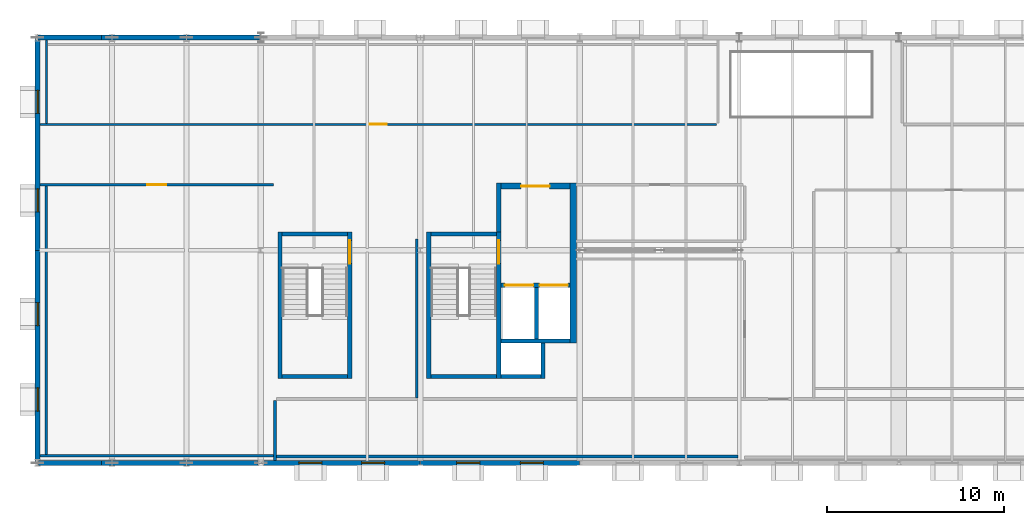
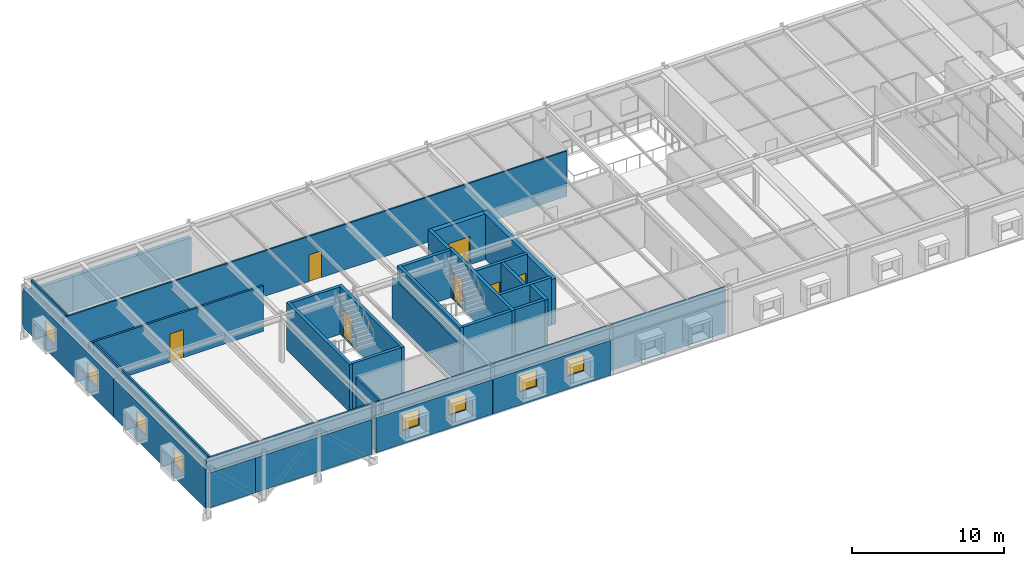
# One storey, part 11 of 17: 32 walls, 8 windows, 7 doors, 15 openings.
"""IFC4 building model written with IfcOpenShell, lengths in metres."""

from ifc_helpers import new_model, si_unit, direction, frame, frame_2d, origin, place, context, subcontext, project, spatial, rectangle, extrude, material, layer, layer_set, type_object, element, fill, save


model = new_model("IFC4")

# Units and contexts
model_context = context("Model", 3, precision=1e-05, world=origin(), true_north=direction((0.0, 1.0)))
body_context = subcontext(model_context, "Body", "Model", "MODEL_VIEW")
ifc_project = project(units=[si_unit("LENGTHUNIT", "METRE"), si_unit("AREAUNIT", "SQUARE_METRE"), si_unit("VOLUMEUNIT", "CUBIC_METRE"), si_unit("PLANEANGLEUNIT", "RADIAN"), si_unit("MASSUNIT", "GRAM", prefix="KILO")], contexts=[model_context])

# Site, building, storey
site_placement = place(None, origin())
site = spatial("IfcSite", under=ifc_project, at=site_placement, CompositionType="ELEMENT")
building_placement = place(site_placement, origin())
building = spatial("IfcBuilding", under=site, at=building_placement, Name="Montelvaro Courts of Justice", CompositionType="ELEMENT")
storey_placement = place(building_placement, frame((0.0, 0.0, 31.39990234375)))
storey = spatial("IfcBuildingStorey", under=building, at=storey_placement, Name="L07", CompositionType="ELEMENT", Elevation=31.39990234375)

# Walls
ifc_material_1 = material(Name="Gypsum board on metal stud")
ifc_layer_1 = layer(ifc_material_1, 0.14990234375)
ifc_layer_set_1 = layer_set([ifc_layer_1], Name="Gypsum board on metal stud")
wall_type_1 = type_object("IfcWallType", Name="ChambersPartition_150", PredefinedType="PARTITIONING", material=ifc_layer_set_1)
wall_1_placement = place(storey_placement, frame((71.919921875, 0.360107421875, 0.0), z_axis=(0.0, 0.0, 1.0), x_axis=(-1.0, 0.0, 0.0)))
element("IfcWall", 1, at=wall_1_placement, inside=storey, type_object=wall_type_1, Name="Interior Partition IW-04 (L07)", PredefinedType="PARTITIONING", context=body_context, shape_type="SweptSolid", body=[
    extrude(rectangle(XDim=26.0400390625, YDim=0.14990234375, at=frame_2d((13.02001953125, 0.0))), origin(), (0.0, 0.0, 1.0), 3.64013671875),
])
wall_2_placement = place(storey_placement, frame((45.800048828125, 0.135009765625, 0.0), z_axis=(0.0, 0.0, 1.0), x_axis=(0.0, 1.0, 0.0)))
element("IfcWall", 2, at=wall_2_placement, inside=storey, type_object=wall_type_1, Name="Interior Partition IW-04 (L07)", PredefinedType="PARTITIONING", context=body_context, shape_type="SweptSolid", body=[
    extrude(rectangle(XDim=3.385009765625, YDim=0.14990234375, at=frame_2d((1.6923828125, 0.0))), origin(), (0.0, 0.0, 1.0), 3.64013671875),
])
wall_3_placement = place(storey_placement, frame((45.72998046875, 0.39990234375, 0.0), z_axis=(0.0, 0.0, 1.0), x_axis=(-1.0, 0.0, 0.0)))
element("IfcWall", 3, at=wall_3_placement, inside=storey, type_object=wall_type_1, Name="Interior Partition IW-04 (L07)", PredefinedType="PARTITIONING", context=body_context, shape_type="SweptSolid", body=[
    extrude(rectangle(XDim=13.195068359375, YDim=0.14990234375, at=frame_2d((6.59765625, 0.0))), origin(), (0.0, 0.0, 1.0), 3.64013671875),
])
wall_4_placement = place(storey_placement, frame((32.89990234375, 0.469970703125, 0.0), z_axis=(0.0, 0.0, 1.0), x_axis=(0.0, 1.0, 0.0)))
element("IfcWall", 4, at=wall_4_placement, inside=storey, type_object=wall_type_1, Name="Interior Partition IW-04 (L07)", PredefinedType="PARTITIONING", context=body_context, shape_type="SweptSolid", body=[
    extrude(rectangle(XDim=15.150146484375, YDim=0.14990234375, at=frame_2d((7.5751953125, 0.0))), origin(), (0.0, 0.0, 1.0), 3.64013671875),
])

# Wall, opening, door
wall_5_placement = place(storey_placement, frame((32.534912109375, 15.699951171875, 0.0), z_axis=(0.0, 0.0, 1.0), x_axis=(1.0, 0.0, 0.0)))
wall_5 = element("IfcWall", 5, at=wall_5_placement, inside=storey, type_object=wall_type_1, Name="Interior Partition IW-04 (L07)", PredefinedType="PARTITIONING", context=body_context, shape_type="SweptSolid", body=[
    extrude(rectangle(XDim=13.18505859375, YDim=0.14990234375, at=frame_2d((6.592529296875, 0.0))), origin(), (0.0, 0.0, 1.0), 3.64013671875),
])
opening_1_placement = place(wall_5_placement, frame((6.068115234375, 0.0, 0.0)))
opening_1 = element("IfcOpeningElement", 6, at=opening_1_placement, cuts=wall_5, Name="Opening D-L07-178", PredefinedType="OPENING", context=body_context, shape_type="SweptSolid", body=[
    extrude(rectangle(XDim=1.050048828125, YDim=2.25, at=frame_2d((0.52490234375, 1.125))), frame((0.0, 0.08984375, 0.0), z_axis=(0.0, -1.0, 0.0), x_axis=(1.0, 0.0, 0.0)), (0.0, 0.0, 1.0), 0.1796875),
])
ifc_material_2 = material(Name="Acoustic oak timber veneer", Category="wood")
door_type_1 = type_object("IfcDoorType", Name="ChamberDoor_105x225", OperationType="NOTDEFINED", PredefinedType="DOOR", material=ifc_material_2)
door_1_placement = place(opening_1_placement, origin())
door_1 = element("IfcDoor", 7, at=door_1_placement, inside=storey, type_object=door_type_1, Name="Interior Door D-L07-178 (West Cantilever Appellate Judges' Chambers L07)", OperationType="SINGLE_SWING_LEFT", OverallHeight=2.25, OverallWidth=1.050048828125, PredefinedType="DOOR", context=body_context, shape_type="SweptSolid", body=[
    extrude(rectangle(XDim=1.050048828125, YDim=2.25, at=frame_2d((0.52490234375, 1.125))), frame((0.0, 0.02490234375, 0.0), z_axis=(0.0, -1.0, 0.0), x_axis=(1.0, 0.0, 0.0)), (0.0, 0.0, 1.0), 0.050048828125),
])
fill(opening_1, door_1)

ifc_material_3 = material(Name="Concrete C40/50", Category="concrete")
ifc_layer_2 = layer(ifc_material_3, 0.360107421875)
ifc_layer_set_2 = layer_set([ifc_layer_2], Name="Concrete C40/50")
wall_type_2 = type_object("IfcWallType", Name="CoreWall_360", PredefinedType="SHEAR", material=ifc_layer_set_2)
wall_6_placement = place(storey_placement, frame((58.5400390625, 15.6201171875, 0.0), z_axis=(0.0, 0.0, 1.0), x_axis=(1.0, 0.0, 0.0)))
wall_6 = element("IfcWall", 8, at=wall_6_placement, inside=storey, type_object=wall_type_2, Name="Core Shear Wall CW-01 K1-N (L07)", PredefinedType="SHEAR", context=body_context, shape_type="SweptSolid", body=[
    extrude(rectangle(XDim=3.89990234375, YDim=0.360107421875, at=frame_2d((1.949951171875, 0.0))), origin(), (0.0, 0.0, 1.0), 3.66015625),
])
opening_2_placement = place(wall_6_placement, frame((1.14990234375, 0.0, 0.0)))
opening_2 = element("IfcOpeningElement", 9, at=opening_2_placement, cuts=wall_6, Name="Opening DL-L07-K1", PredefinedType="OPENING", context=body_context, shape_type="SweptSolid", body=[
    extrude(rectangle(XDim=1.60009765625, YDim=2.25, at=frame_2d((0.800048828125, 1.125))), frame((0.0, 0.19482421875, 0.0), z_axis=(0.0, -1.0, 0.0), x_axis=(1.0, 0.0, 0.0)), (0.0, 0.0, 1.0), 0.389892578125),
])
ifc_material_4 = material(Name="Galvanised steel S355 security door", Category="steel")
door_type_2 = type_object("IfcDoorType", Name="LobbyFireDoor_160x225", OperationType="DOUBLE_DOOR_SINGLE_SWING", PredefinedType="DOOR", material=ifc_material_4)
door_2_placement = place(opening_2_placement, origin())
door_2 = element("IfcDoor", 10, at=door_2_placement, inside=storey, type_object=door_type_2, Name="Core Lobby Fire Door DL-L07-K1", OperationType="DOUBLE_DOOR_SINGLE_SWING", OverallHeight=2.25, OverallWidth=1.60009765625, PredefinedType="DOOR", context=body_context, shape_type="SweptSolid", body=[
    extrude(rectangle(XDim=1.60009765625, YDim=2.25, at=frame_2d((0.800048828125, 1.125))), frame((0.0, 0.02490234375, 0.0), z_axis=(0.0, -1.0, 0.0), x_axis=(1.0, 0.0, 0.0)), (0.0, 0.0, 1.0), 0.050048828125),
])
fill(opening_2, door_2)

# Walls
wall_7_placement = place(storey_placement, frame((62.6201171875, 6.760009765625, 0.0), z_axis=(0.0, 0.0, 1.0), x_axis=(0.0, 1.0, 0.0)))
element("IfcWall", 11, at=wall_7_placement, inside=storey, type_object=wall_type_2, Name="Core Shear Wall CW-01 K1-E (L07)", PredefinedType="SHEAR", context=body_context, shape_type="SweptSolid", body=[
    extrude(rectangle(XDim=9.0400390625, YDim=0.360107421875, at=frame_2d((4.52001953125, 0.0))), origin(), (0.0, 0.0, 1.0), 3.66015625),
])
ifc_material_5 = material(Name="White mineral precast concrete C45/55", Category="concrete")
ifc_layer_3 = layer(ifc_material_5, 0.280029296875)
ifc_layer_set_3 = layer_set([ifc_layer_3], Name="White mineral precast concrete C45/55")
wall_type_3 = type_object("IfcWallType", Name="ExtWall_GFRC_280", PredefinedType="SOLIDWALL", material=ifc_layer_set_3)
wall_8_placement = place(storey_placement, frame((32.43994140625, 0.0, 0.0), z_axis=(0.0, 0.0, 1.0), x_axis=(1.0, 0.0, 0.0)))
element("IfcWall", 12, at=wall_8_placement, inside=storey, type_object=wall_type_3, Name="Exterior Facade Wall EW-01 (L07)", PredefinedType="SOLIDWALL", context=body_context, shape_type="SweptSolid", body=[
    extrude(rectangle(XDim=3.570068359375, YDim=0.280029296875, at=frame_2d((1.78515625, 0.0))), origin(), (0.0, 0.0, 1.0), 2.787109375),
])
wall_9_placement = place(storey_placement, frame((35.989990234375, 0.0, 0.0), z_axis=(0.0, 0.0, 1.0), x_axis=(1.0, 0.0, 0.0)))
element("IfcWall", 13, at=wall_9_placement, inside=storey, type_object=wall_type_3, Name="Exterior Facade Wall EW-01 (L07)", PredefinedType="SOLIDWALL", context=body_context, shape_type="SweptSolid", body=[
    extrude(rectangle(XDim=8.862060546875, YDim=0.280029296875, at=frame_2d((4.43115234375, 0.0))), origin(), (0.0, 0.0, 1.0), 2.787109375),
])

# Wall, openings, windows
wall_10_placement = place(storey_placement, frame((45.14794921875, 0.0, 0.0), z_axis=(0.0, 0.0, 1.0), x_axis=(1.0, 0.0, 0.0)))
wall_10 = element("IfcWall", 14, at=wall_10_placement, inside=storey, type_object=wall_type_3, Name="Exterior Facade Wall EW-01 (L07)", PredefinedType="SOLIDWALL", context=body_context, shape_type="SweptSolid", body=[
    extrude(rectangle(XDim=8.843994140625, YDim=0.280029296875, at=frame_2d((4.421875, 0.0))), origin(), (0.0, 0.0, 1.0), 2.787109375),
])
opening_3_placement = place(wall_10_placement, frame((2.0029296875, 0.0, 1.050048828125)))
opening_3 = element("IfcOpeningElement", 15, at=opening_3_placement, cuts=wall_10, Name="Opening WE-18", PredefinedType="OPENING", context=body_context, shape_type="SweptSolid", body=[
    extrude(rectangle(XDim=1.300048828125, YDim=1.300048828125, at=frame_2d((0.64990234375, 0.64990234375))), frame((0.0, 0.15478515625, 0.0), z_axis=(0.0, -1.0, 0.0), x_axis=(1.0, 0.0, 0.0)), (0.0, 0.0, 1.0), 0.309814453125),
])
opening_4_placement = place(wall_10_placement, frame((5.541015625, 0.0, 1.050048828125)))
opening_4 = element("IfcOpeningElement", 16, at=opening_4_placement, cuts=wall_10, Name="Opening WE-18", PredefinedType="OPENING", context=body_context, shape_type="SweptSolid", body=[
    extrude(rectangle(XDim=1.300048828125, YDim=1.300048828125, at=frame_2d((0.64990234375, 0.64990234375))), frame((0.0, 0.15478515625, 0.0), z_axis=(0.0, -1.0, 0.0), x_axis=(1.0, 0.0, 0.0)), (0.0, 0.0, 1.0), 0.309814453125),
])
ifc_material_6 = material(Name="Low-E solar control double glazing", Category="glass")
window_type = type_object("IfcWindowType", Name="Win_Sq_130x130", PartitioningType="SINGLE_PANEL", PredefinedType="WINDOW", material=ifc_material_6)
window_1_placement = place(opening_3_placement, origin())
window_1 = element("IfcWindow", 17, at=window_1_placement, inside=storey, type_object=window_type, Name="Window W-L07-326", OverallHeight=1.300048828125, OverallWidth=1.300048828125, PartitioningType="SINGLE_PANEL", PredefinedType="WINDOW", context=body_context, shape_type="SweptSolid", body=[
    extrude(rectangle(XDim=1.300048828125, YDim=1.300048828125, at=frame_2d((0.64990234375, 0.64990234375))), frame((0.0, 0.030029296875, 0.0), z_axis=(0.0, -1.0, 0.0), x_axis=(1.0, 0.0, 0.0)), (0.0, 0.0, 1.0), 0.06005859375),
])
fill(opening_3, window_1)
window_2_placement = place(opening_4_placement, origin())
window_2 = element("IfcWindow", 18, at=window_2_placement, inside=storey, type_object=window_type, Name="Window W-L07-327", OverallHeight=1.300048828125, OverallWidth=1.300048828125, PartitioningType="SINGLE_PANEL", PredefinedType="WINDOW", context=body_context, shape_type="SweptSolid", body=[
    extrude(rectangle(XDim=1.300048828125, YDim=1.300048828125, at=frame_2d((0.64990234375, 0.64990234375))), frame((0.0, 0.030029296875, 0.0), z_axis=(0.0, -1.0, 0.0), x_axis=(1.0, 0.0, 0.0)), (0.0, 0.0, 1.0), 0.06005859375),
])
fill(opening_4, window_2)

wall_11_placement = place(storey_placement, frame((54.008056640625, 0.0, 0.0), z_axis=(0.0, 0.0, 1.0), x_axis=(1.0, 0.0, 0.0)))
wall_11 = element("IfcWall", 19, at=wall_11_placement, inside=storey, type_object=wall_type_3, Name="Exterior Facade Wall EW-01 (L07)", PredefinedType="SOLIDWALL", context=body_context, shape_type="SweptSolid", body=[
    extrude(rectangle(XDim=8.98388671875, YDim=0.280029296875, at=frame_2d((4.491943359375, 0.0))), origin(), (0.0, 0.0, 1.0), 2.787109375),
])
opening_5_placement = place(wall_11_placement, frame((2.044921875, 0.0, 1.050048828125)))
opening_5 = element("IfcOpeningElement", 20, at=opening_5_placement, cuts=wall_11, Name="Opening WE-18", PredefinedType="OPENING", context=body_context, shape_type="SweptSolid", body=[
    extrude(rectangle(XDim=1.300048828125, YDim=1.300048828125, at=frame_2d((0.64990234375, 0.64990234375))), frame((0.0, 0.15478515625, 0.0), z_axis=(0.0, -1.0, 0.0), x_axis=(1.0, 0.0, 0.0)), (0.0, 0.0, 1.0), 0.309814453125),
])
opening_6_placement = place(wall_11_placement, frame((5.638916015625, 0.0, 1.050048828125)))
opening_6 = element("IfcOpeningElement", 21, at=opening_6_placement, cuts=wall_11, Name="Opening WE-18", PredefinedType="OPENING", context=body_context, shape_type="SweptSolid", body=[
    extrude(rectangle(XDim=1.300048828125, YDim=1.300048828125, at=frame_2d((0.64990234375, 0.64990234375))), frame((0.0, 0.15478515625, 0.0), z_axis=(0.0, -1.0, 0.0), x_axis=(1.0, 0.0, 0.0)), (0.0, 0.0, 1.0), 0.309814453125),
])
window_3_placement = place(opening_5_placement, origin())
window_3 = element("IfcWindow", 22, at=window_3_placement, inside=storey, type_object=window_type, Name="Window W-L07-328", OverallHeight=1.300048828125, OverallWidth=1.300048828125, PartitioningType="SINGLE_PANEL", PredefinedType="WINDOW", context=body_context, shape_type="SweptSolid", body=[
    extrude(rectangle(XDim=1.300048828125, YDim=1.300048828125, at=frame_2d((0.64990234375, 0.64990234375))), frame((0.0, 0.030029296875, 0.0), z_axis=(0.0, -1.0, 0.0), x_axis=(1.0, 0.0, 0.0)), (0.0, 0.0, 1.0), 0.06005859375),
])
fill(opening_5, window_3)
window_4_placement = place(opening_6_placement, origin())
window_4 = element("IfcWindow", 23, at=window_4_placement, inside=storey, type_object=window_type, Name="Window W-L07-329", OverallHeight=1.300048828125, OverallWidth=1.300048828125, PartitioningType="SINGLE_PANEL", PredefinedType="WINDOW", context=body_context, shape_type="SweptSolid", body=[
    extrude(rectangle(XDim=1.300048828125, YDim=1.300048828125, at=frame_2d((0.64990234375, 0.64990234375))), frame((0.0, 0.030029296875, 0.0), z_axis=(0.0, -1.0, 0.0), x_axis=(1.0, 0.0, 0.0)), (0.0, 0.0, 1.0), 0.06005859375),
])
fill(opening_6, window_4)

# Walls
wall_12_placement = place(storey_placement, frame((44.991943359375, 24.0, 0.0), z_axis=(0.0, 0.0, 1.0), x_axis=(-1.0, 0.0, 0.0)))
element("IfcWall", 24, at=wall_12_placement, inside=storey, type_object=wall_type_3, Name="Exterior Facade Wall EW-01 (L07)", PredefinedType="SOLIDWALL", context=body_context, shape_type="SweptSolid", body=[
    extrude(rectangle(XDim=9.001953125, YDim=0.280029296875, at=frame_2d((4.5009765625, 0.0))), origin(), (0.0, 0.0, 1.0), 2.787109375),
])
wall_13_placement = place(storey_placement, frame((36.010009765625, 24.0, 0.0), z_axis=(0.0, 0.0, 1.0), x_axis=(-1.0, 0.0, 0.0)))
element("IfcWall", 25, at=wall_13_placement, inside=storey, type_object=wall_type_3, Name="Exterior Facade Wall EW-01 (L07)", PredefinedType="SOLIDWALL", context=body_context, shape_type="SweptSolid", body=[
    extrude(rectangle(XDim=3.64990234375, YDim=0.280029296875, at=frame_2d((1.824951171875, 0.0))), origin(), (0.0, 0.0, 1.0), 2.787109375),
])

# Wall, openings, windows
wall_14_placement = place(storey_placement, frame((32.39990234375, 23.9599609375, 0.0), z_axis=(0.0, 0.0, 1.0), x_axis=(0.0, -1.0, 0.0)))
wall_14 = element("IfcWall", 26, at=wall_14_placement, inside=storey, type_object=wall_type_3, Name="Exterior Facade Wall EW-01 (L07)", PredefinedType="SOLIDWALL", context=body_context, shape_type="SweptSolid", body=[
    extrude(rectangle(XDim=11.969970703125, YDim=0.280029296875, at=frame_2d((5.98486328125, 0.0))), origin(), (0.0, 0.0, 1.0), 3.09521484375),
])
opening_7_placement = place(wall_14_placement, frame((2.94091796875, 0.0, 1.050048828125)))
opening_7 = element("IfcOpeningElement", 27, at=opening_7_placement, cuts=wall_14, Name="Opening WE-18", PredefinedType="OPENING", context=body_context, shape_type="SweptSolid", body=[
    extrude(rectangle(XDim=1.300048828125, YDim=1.300048828125, at=frame_2d((0.64990234375, 0.64990234375))), frame((0.0, 0.15478515625, 0.0), z_axis=(0.0, -1.0, 0.0), x_axis=(1.0, 0.0, 0.0)), (0.0, 0.0, 1.0), 0.309814453125),
])
opening_8_placement = place(wall_14_placement, frame((8.5, 0.0, 1.050048828125)))
opening_8 = element("IfcOpeningElement", 28, at=opening_8_placement, cuts=wall_14, Name="Opening WE-18", PredefinedType="OPENING", context=body_context, shape_type="SweptSolid", body=[
    extrude(rectangle(XDim=1.300048828125, YDim=1.300048828125, at=frame_2d((0.64990234375, 0.64990234375))), frame((0.0, 0.15478515625, 0.0), z_axis=(0.0, -1.0, 0.0), x_axis=(1.0, 0.0, 0.0)), (0.0, 0.0, 1.0), 0.309814453125),
])
window_5_placement = place(opening_7_placement, origin())
window_5 = element("IfcWindow", 29, at=window_5_placement, inside=storey, type_object=window_type, Name="Window W-L07-342", OverallHeight=1.300048828125, OverallWidth=1.300048828125, PartitioningType="SINGLE_PANEL", PredefinedType="WINDOW", context=body_context, shape_type="SweptSolid", body=[
    extrude(rectangle(XDim=1.300048828125, YDim=1.300048828125, at=frame_2d((0.64990234375, 0.64990234375))), frame((0.0, 0.030029296875, 0.0), z_axis=(0.0, -1.0, 0.0), x_axis=(1.0, 0.0, 0.0)), (0.0, 0.0, 1.0), 0.06005859375),
])
fill(opening_7, window_5)
window_6_placement = place(opening_8_placement, origin())
window_6 = element("IfcWindow", 30, at=window_6_placement, inside=storey, type_object=window_type, Name="Window W-L07-343", OverallHeight=1.300048828125, OverallWidth=1.300048828125, PartitioningType="SINGLE_PANEL", PredefinedType="WINDOW", context=body_context, shape_type="SweptSolid", body=[
    extrude(rectangle(XDim=1.300048828125, YDim=1.300048828125, at=frame_2d((0.64990234375, 0.64990234375))), frame((0.0, 0.030029296875, 0.0), z_axis=(0.0, -1.0, 0.0), x_axis=(1.0, 0.0, 0.0)), (0.0, 0.0, 1.0), 0.06005859375),
])
fill(opening_8, window_6)

wall_15_placement = place(storey_placement, frame((32.39990234375, 12.010009765625, 0.0), z_axis=(0.0, 0.0, 1.0), x_axis=(0.0, -1.0, 0.0)))
wall_15 = element("IfcWall", 31, at=wall_15_placement, inside=storey, type_object=wall_type_3, Name="Exterior Facade Wall EW-01 (L07)", PredefinedType="SOLIDWALL", context=body_context, shape_type="SweptSolid", body=[
    extrude(rectangle(XDim=12.050048828125, YDim=0.280029296875, at=frame_2d((6.02490234375, 0.0))), origin(), (0.0, 0.0, 1.0), 3.09521484375),
])
opening_9_placement = place(wall_15_placement, frame((2.965087890625, 0.0, 1.050048828125)))
opening_9 = element("IfcOpeningElement", 32, at=opening_9_placement, cuts=wall_15, Name="Opening WE-18", PredefinedType="OPENING", context=body_context, shape_type="SweptSolid", body=[
    extrude(rectangle(XDim=1.300048828125, YDim=1.300048828125, at=frame_2d((0.64990234375, 0.64990234375))), frame((0.0, 0.15478515625, 0.0), z_axis=(0.0, -1.0, 0.0), x_axis=(1.0, 0.0, 0.0)), (0.0, 0.0, 1.0), 0.309814453125),
])
opening_10_placement = place(wall_15_placement, frame((7.784912109375, 0.0, 1.050048828125)))
opening_10 = element("IfcOpeningElement", 33, at=opening_10_placement, cuts=wall_15, Name="Opening WE-18", PredefinedType="OPENING", context=body_context, shape_type="SweptSolid", body=[
    extrude(rectangle(XDim=1.300048828125, YDim=1.300048828125, at=frame_2d((0.64990234375, 0.64990234375))), frame((0.0, 0.15478515625, 0.0), z_axis=(0.0, -1.0, 0.0), x_axis=(1.0, 0.0, 0.0)), (0.0, 0.0, 1.0), 0.309814453125),
])
window_7_placement = place(opening_9_placement, origin())
window_7 = element("IfcWindow", 34, at=window_7_placement, inside=storey, type_object=window_type, Name="Window W-L07-344", OverallHeight=1.300048828125, OverallWidth=1.300048828125, PartitioningType="SINGLE_PANEL", PredefinedType="WINDOW", context=body_context, shape_type="SweptSolid", body=[
    extrude(rectangle(XDim=1.300048828125, YDim=1.300048828125, at=frame_2d((0.64990234375, 0.64990234375))), frame((0.0, 0.030029296875, 0.0), z_axis=(0.0, -1.0, 0.0), x_axis=(1.0, 0.0, 0.0)), (0.0, 0.0, 1.0), 0.06005859375),
])
fill(opening_9, window_7)
window_8_placement = place(opening_10_placement, origin())
window_8 = element("IfcWindow", 35, at=window_8_placement, inside=storey, type_object=window_type, Name="Window W-L07-345", OverallHeight=1.300048828125, OverallWidth=1.300048828125, PartitioningType="SINGLE_PANEL", PredefinedType="WINDOW", context=body_context, shape_type="SweptSolid", body=[
    extrude(rectangle(XDim=1.300048828125, YDim=1.300048828125, at=frame_2d((0.64990234375, 0.64990234375))), frame((0.0, 0.030029296875, 0.0), z_axis=(0.0, -1.0, 0.0), x_axis=(1.0, 0.0, 0.0)), (0.0, 0.0, 1.0), 0.06005859375),
])
fill(opening_10, window_8)

# Wall
ifc_layer_4 = layer(ifc_material_1, 0.1201171875)
ifc_layer_set_4 = layer_set([ifc_layer_4], Name="Gypsum board on metal stud")
wall_type_4 = type_object("IfcWallType", Name="OfficePartition_120", PredefinedType="PARTITIONING", material=ifc_layer_set_4)
wall_16_placement = place(storey_placement, frame((53.800048828125, 12.6201171875, 0.0), z_axis=(0.0, 0.0, 1.0), x_axis=(0.0, -1.0, 0.0)))
element("IfcWall", 36, at=wall_16_placement, inside=storey, type_object=wall_type_4, Name="Interior Partition IW-05 (L07)", PredefinedType="PARTITIONING", context=body_context, shape_type="SweptSolid", body=[
    extrude(rectangle(XDim=8.9501953125, YDim=0.1201171875, at=frame_2d((4.47509765625, 0.0))), origin(), (0.0, 0.0, 1.0), 3.35498046875),
])

# Wall, opening, door
wall_17_placement = place(storey_placement, frame((70.719970703125, 19.10009765625, 0.0), z_axis=(0.0, 0.0, 1.0), x_axis=(-1.0, 0.0, 0.0)))
wall_17 = element("IfcWall", 37, at=wall_17_placement, inside=storey, type_object=wall_type_4, Name="Interior Partition IW-05 (L07)", PredefinedType="PARTITIONING", context=body_context, shape_type="SweptSolid", body=[
    extrude(rectangle(XDim=38.18505859375, YDim=0.1201171875, at=frame_2d((19.092529296875, 0.0))), origin(), (0.0, 0.0, 1.0), 3.64013671875),
])
opening_11_placement = place(wall_17_placement, frame((18.616943359375, 0.0, 0.0)))
opening_11 = element("IfcOpeningElement", 38, at=opening_11_placement, cuts=wall_17, Name="Opening D-L07-181", PredefinedType="OPENING", context=body_context, shape_type="SweptSolid", body=[
    extrude(rectangle(XDim=0.949951171875, YDim=2.14990234375, at=frame_2d((0.47509765625, 1.074951171875))), frame((0.0, 0.074951171875, 0.0), z_axis=(0.0, -1.0, 0.0), x_axis=(1.0, 0.0, 0.0)), (0.0, 0.0, 1.0), 0.14990234375),
])
door_type_3 = type_object("IfcDoorType", Name="OfficeDoor_095x215", OperationType="NOTDEFINED", PredefinedType="DOOR", material=ifc_material_2)
door_3_placement = place(opening_11_placement, frame((0.949951171875, 0.0, 0.0), z_axis=(0.0, 0.0, 1.0), x_axis=(-1.0, 0.0, 0.0)))
door_3 = element("IfcDoor", 39, at=door_3_placement, inside=storey, type_object=door_type_3, Name="Interior Door D-L07-181 (Appellate Law Clerks' Research Hall L07)", OperationType="SINGLE_SWING_RIGHT", OverallHeight=2.14990234375, OverallWidth=0.949951171875, PredefinedType="DOOR", context=body_context, shape_type="SweptSolid", body=[
    extrude(rectangle(XDim=0.949951171875, YDim=2.14990234375, at=frame_2d((0.47509765625, 1.074951171875))), frame((0.0, 0.02490234375, 0.0), z_axis=(0.0, -1.0, 0.0), x_axis=(1.0, 0.0, 0.0)), (0.0, 0.0, 1.0), 0.050048828125),
])
fill(opening_11, door_3)

# Walls
wall_18_placement = place(storey_placement, frame((32.89990234375, 19.155029296875, 0.0), z_axis=(0.0, 0.0, 1.0), x_axis=(0.0, 1.0, 0.0)))
element("IfcWall", 40, at=wall_18_placement, inside=storey, type_object=wall_type_4, Name="Interior Partition IW-05 (L07)", PredefinedType="PARTITIONING", context=body_context, shape_type="SweptSolid", body=[
    extrude(rectangle(XDim=4.7099609375, YDim=0.1201171875, at=frame_2d((2.35498046875, 0.0))), origin(), (0.0, 0.0, 1.0), 3.64013671875),
])
ifc_material_7 = material(Name="Concrete C35/45", Category="concrete")
ifc_layer_5 = layer(ifc_material_7, 0.239990234375)
ifc_layer_set_5 = layer_set([ifc_layer_5], Name="Concrete C35/45")
wall_type_5 = type_object("IfcWallType", Name="ShaftWall_240", PredefinedType="SHEAR", material=ifc_layer_set_5)
wall_19_placement = place(storey_placement, frame((54.47998046875, 4.760009765625, 0.0), z_axis=(0.0, 0.0, 1.0), x_axis=(0.0, 1.0, 0.0)))
element("IfcWall", 41, at=wall_19_placement, inside=storey, type_object=wall_type_5, Name="Protected Stair Structural Wall ST-K1-W (L07)", PredefinedType="SHEAR", context=body_context, shape_type="SweptSolid", body=[
    extrude(rectangle(XDim=8.280029296875, YDim=0.239990234375, at=frame_2d((4.14013671875, 0.0))), origin(), (0.0, 0.0, 1.0), 3.81005859375),
])

# Wall, opening, door
wall_20_placement = place(storey_placement, frame((58.419921875, 4.760009765625, 0.0), z_axis=(0.0, 0.0, 1.0), x_axis=(0.0, 1.0, 0.0)))
wall_20 = element("IfcWall", 42, at=wall_20_placement, inside=storey, type_object=wall_type_5, Name="Protected Stair Structural Wall ST-K1-E (L07)", PredefinedType="SHEAR", context=body_context, shape_type="SweptSolid", body=[
    extrude(rectangle(XDim=8.280029296875, YDim=0.239990234375, at=frame_2d((4.14013671875, 0.0))), origin(), (0.0, 0.0, 1.0), 3.81005859375),
])
opening_12_placement = place(wall_20_placement, frame((6.489990234375, 0.0, 0.0)))
opening_12 = element("IfcOpeningElement", 43, at=opening_12_placement, cuts=wall_20, Name="Opening DS-L07-K1", PredefinedType="OPENING", context=body_context, shape_type="SweptSolid", body=[
    extrude(rectangle(XDim=1.300048828125, YDim=2.199951171875, at=frame_2d((0.64990234375, 1.10009765625))), frame((0.0, 0.134765625, 0.0), z_axis=(0.0, -1.0, 0.0), x_axis=(1.0, 0.0, 0.0)), (0.0, 0.0, 1.0), 0.269775390625),
])
door_type_4 = type_object("IfcDoorType", Name="StairFireDoor_130x220", OperationType="NOTDEFINED", PredefinedType="DOOR", material=ifc_material_4)
door_4_placement = place(opening_12_placement, frame((1.300048828125, 0.0, 0.0), z_axis=(0.0, 0.0, 1.0), x_axis=(-1.0, 0.0, 0.0)))
door_4 = element("IfcDoor", 44, at=door_4_placement, inside=storey, type_object=door_type_4, Name="Protected Stair Fire Door DS-L07-K1", OperationType="SINGLE_SWING_LEFT", OverallHeight=2.199951171875, OverallWidth=1.300048828125, PredefinedType="DOOR", context=body_context, shape_type="SweptSolid", body=[
    extrude(rectangle(XDim=1.300048828125, YDim=2.199951171875, at=frame_2d((0.64990234375, 1.10009765625))), frame((0.0, 0.02490234375, 0.0), z_axis=(0.0, -1.0, 0.0), x_axis=(1.0, 0.0, 0.0)), (0.0, 0.0, 1.0), 0.050048828125),
])
fill(opening_12, door_4)

# Walls
for number, where, z_axis, x_axis, name in (
    (45, (54.60009765625, 4.8798828125, 0.0), (0.0, 0.0, 1.0), (1.0, 0.0, 0.0), "Protected Stair Structural Wall ST-K1-S (L07)"),
    (46, (54.60009765625, 12.919921875, 0.0), (0.0, 0.0, 1.0), (1.0, 0.0, 0.0), "Protected Stair Structural Wall ST-K1-N (L07)"),
):
    element("IfcWall", number, at=place(storey_placement, frame(where, z_axis=z_axis, x_axis=x_axis)), inside=storey, type_object=wall_type_5, Name=name, PredefinedType="SHEAR", context=body_context, shape_type="SweptSolid", body=[
        extrude(rectangle(XDim=3.699951171875, YDim=0.239990234375, at=frame_2d((1.85009765625, 0.0))), origin(), (0.0, 0.0, 1.0), 3.81005859375),
    ])
wall_21_placement = place(storey_placement, frame((46.080078125, 4.760009765625, 0.0), z_axis=(0.0, 0.0, 1.0), x_axis=(0.0, 1.0, 0.0)))
element("IfcWall", 47, at=wall_21_placement, inside=storey, type_object=wall_type_5, Name="Protected Stair Structural Wall ST-E1-W (L07)", PredefinedType="SHEAR", context=body_context, shape_type="SweptSolid", body=[
    extrude(rectangle(XDim=8.280029296875, YDim=0.239990234375, at=frame_2d((4.14013671875, 0.0))), origin(), (0.0, 0.0, 1.0), 3.81005859375),
])

# Wall, opening, door
wall_22_placement = place(storey_placement, frame((50.02001953125, 4.760009765625, 0.0), z_axis=(0.0, 0.0, 1.0), x_axis=(0.0, 1.0, 0.0)))
wall_22 = element("IfcWall", 48, at=wall_22_placement, inside=storey, type_object=wall_type_5, Name="Protected Stair Structural Wall ST-E1-E (L07)", PredefinedType="SHEAR", context=body_context, shape_type="SweptSolid", body=[
    extrude(rectangle(XDim=8.280029296875, YDim=0.239990234375, at=frame_2d((4.14013671875, 0.0))), origin(), (0.0, 0.0, 1.0), 3.81005859375),
])
opening_13_placement = place(wall_22_placement, frame((6.489990234375, 0.0, 0.0)))
opening_13 = element("IfcOpeningElement", 49, at=opening_13_placement, cuts=wall_22, Name="Opening DS-L07-SE1", PredefinedType="OPENING", context=body_context, shape_type="SweptSolid", body=[
    extrude(rectangle(XDim=1.300048828125, YDim=2.199951171875, at=frame_2d((0.64990234375, 1.10009765625))), frame((0.0, 0.134765625, 0.0), z_axis=(0.0, -1.0, 0.0), x_axis=(1.0, 0.0, 0.0)), (0.0, 0.0, 1.0), 0.269775390625),
])
door_5_placement = place(opening_13_placement, frame((1.300048828125, 0.0, 0.0), z_axis=(0.0, 0.0, 1.0), x_axis=(-1.0, 0.0, 0.0)))
door_5 = element("IfcDoor", 50, at=door_5_placement, inside=storey, type_object=door_type_4, Name="Protected Stair Fire Door DS-L07-SE1", OperationType="SINGLE_SWING_LEFT", OverallHeight=2.199951171875, OverallWidth=1.300048828125, PredefinedType="DOOR", context=body_context, shape_type="SweptSolid", body=[
    extrude(rectangle(XDim=1.300048828125, YDim=2.199951171875, at=frame_2d((0.64990234375, 1.10009765625))), frame((0.0, 0.02490234375, 0.0), z_axis=(0.0, -1.0, 0.0), x_axis=(1.0, 0.0, 0.0)), (0.0, 0.0, 1.0), 0.050048828125),
])
fill(opening_13, door_5)

# Walls
for number, where, z_axis, x_axis, name in (
    (51, (46.199951171875, 4.8798828125, 0.0), (0.0, 0.0, 1.0), (1.0, 0.0, 0.0), "Protected Stair Structural Wall ST-E1-S (L07)"),
    (52, (46.199951171875, 12.919921875, 0.0), (0.0, 0.0, 1.0), (1.0, 0.0, 0.0), "Protected Stair Structural Wall ST-E1-N (L07)"),
):
    element("IfcWall", number, at=place(storey_placement, frame(where, z_axis=z_axis, x_axis=x_axis)), inside=storey, type_object=wall_type_5, Name=name, PredefinedType="SHEAR", context=body_context, shape_type="SweptSolid", body=[
        extrude(rectangle(XDim=3.699951171875, YDim=0.239990234375, at=frame_2d((1.85009765625, 0.0))), origin(), (0.0, 0.0, 1.0), 3.81005859375),
    ])
wall_23_placement = place(storey_placement, frame((58.419921875, 13.0400390625, 0.0), z_axis=(0.0, 0.0, 1.0), x_axis=(0.0, 1.0, 0.0)))
element("IfcWall", 53, at=wall_23_placement, inside=storey, type_object=wall_type_5, Name="Core Lobby Structural Wall K1-W (L07)", PredefinedType="SHEAR", context=body_context, shape_type="SweptSolid", body=[
    extrude(rectangle(XDim=2.760009765625, YDim=0.239990234375, at=frame_2d((1.3798828125, 0.0))), origin(), (0.0, 0.0, 1.0), 3.66015625),
])

# Wall, openings, doors
wall_24_placement = place(storey_placement, frame((58.5400390625, 10.02001953125, 0.0), z_axis=(0.0, 0.0, 1.0), x_axis=(1.0, 0.0, 0.0)))
wall_24 = element("IfcWall", 54, at=wall_24_placement, inside=storey, type_object=wall_type_5, Name="Lift Shaft Bank Wall K1 (L07)", PredefinedType="SHEAR", context=body_context, shape_type="SweptSolid", body=[
    extrude(rectangle(XDim=3.89990234375, YDim=0.239990234375, at=frame_2d((1.949951171875, 0.0))), origin(), (0.0, 0.0, 1.0), 3.81005859375),
])
opening_14_placement = place(wall_24_placement, frame((0.235107421875, 0.0, 0.0)))
opening_14 = element("IfcOpeningElement", 55, at=opening_14_placement, cuts=wall_24, Name="Opening LD-LF-01-L07", PredefinedType="OPENING", context=body_context, shape_type="SweptSolid", body=[
    extrude(rectangle(XDim=1.60009765625, YDim=2.300048828125, at=frame_2d((0.800048828125, 1.14990234375))), frame((0.0, 0.134765625, 0.0), z_axis=(0.0, -1.0, 0.0), x_axis=(1.0, 0.0, 0.0)), (0.0, 0.0, 1.0), 0.269775390625),
])
opening_15_placement = place(wall_24_placement, frame((2.18505859375, 0.0, 0.0)))
opening_15 = element("IfcOpeningElement", 56, at=opening_15_placement, cuts=wall_24, Name="Opening LD-LJ-01-L07", PredefinedType="OPENING", context=body_context, shape_type="SweptSolid", body=[
    extrude(rectangle(XDim=1.60009765625, YDim=2.300048828125, at=frame_2d((0.800048828125, 1.14990234375))), frame((0.0, 0.134765625, 0.0), z_axis=(0.0, -1.0, 0.0), x_axis=(1.0, 0.0, 0.0)), (0.0, 0.0, 1.0), 0.269775390625),
])
door_type_5 = type_object("IfcDoorType", Name="LiftDoor_160x230", OperationType="DOUBLE_DOOR_SLIDING", PredefinedType="DOOR", material=ifc_material_4)
door_6_placement = place(opening_14_placement, origin())
door_6 = element("IfcDoor", 57, at=door_6_placement, inside=storey, type_object=door_type_5, Name="Lift Landing Sliding Door LD-LF-01-L07", OperationType="DOUBLE_DOOR_SLIDING", OverallHeight=2.300048828125, OverallWidth=1.60009765625, PredefinedType="DOOR", context=body_context, shape_type="SweptSolid", body=[
    extrude(rectangle(XDim=1.60009765625, YDim=2.300048828125, at=frame_2d((0.800048828125, 1.14990234375))), frame((0.0, 0.02490234375, 0.0), z_axis=(0.0, -1.0, 0.0), x_axis=(1.0, 0.0, 0.0)), (0.0, 0.0, 1.0), 0.050048828125),
])
fill(opening_14, door_6)
door_7_placement = place(opening_15_placement, origin())
door_7 = element("IfcDoor", 58, at=door_7_placement, inside=storey, type_object=door_type_5, Name="Lift Landing Sliding Door LD-LJ-01-L07", OperationType="DOUBLE_DOOR_SLIDING", OverallHeight=2.300048828125, OverallWidth=1.60009765625, PredefinedType="DOOR", context=body_context, shape_type="SweptSolid", body=[
    extrude(rectangle(XDim=1.60009765625, YDim=2.300048828125, at=frame_2d((0.800048828125, 1.14990234375))), frame((0.0, 0.02490234375, 0.0), z_axis=(0.0, -1.0, 0.0), x_axis=(1.0, 0.0, 0.0)), (0.0, 0.0, 1.0), 0.050048828125),
])
fill(opening_15, door_7)

# Walls
wall_25_placement = place(storey_placement, frame((58.5400390625, 6.8798828125, 0.0), z_axis=(0.0, 0.0, 1.0), x_axis=(1.0, 0.0, 0.0)))
element("IfcWall", 59, at=wall_25_placement, inside=storey, type_object=wall_type_5, Name="Lift Shaft Back Wall K1 (L07)", PredefinedType="SHEAR", context=body_context, shape_type="SweptSolid", body=[
    extrude(rectangle(XDim=3.89990234375, YDim=0.239990234375, at=frame_2d((1.949951171875, 0.0))), origin(), (0.0, 0.0, 1.0), 3.81005859375),
])
wall_26_placement = place(storey_placement, frame((60.550048828125, 7.0, 0.0), z_axis=(0.0, 0.0, 1.0), x_axis=(0.0, 1.0, 0.0)))
element("IfcWall", 60, at=wall_26_placement, inside=storey, type_object=wall_type_5, Name="Lift Shaft Divider Wall K1-LFD1 (L07)", PredefinedType="SHEAR", context=body_context, shape_type="SweptSolid", body=[
    extrude(rectangle(XDim=2.89990234375, YDim=0.239990234375, at=frame_2d((1.449951171875, 0.0))), origin(), (0.0, 0.0, 1.0), 3.81005859375),
])
wall_27_placement = place(storey_placement, frame((60.919921875, 4.760009765625, 0.0), z_axis=(0.0, 0.0, 1.0), x_axis=(0.0, 1.0, 0.0)))
element("IfcWall", 61, at=wall_27_placement, inside=storey, type_object=wall_type_5, Name="Service Riser East Shaft Wall K1 (L07)", PredefinedType="SHEAR", context=body_context, shape_type="SweptSolid", body=[
    extrude(rectangle(XDim=2.0, YDim=0.239990234375, at=frame_2d((1.0, 0.0))), origin(), (0.0, 0.0, 1.0), 3.81005859375),
])
wall_28_placement = place(storey_placement, frame((58.5400390625, 4.8798828125, 0.0), z_axis=(0.0, 0.0, 1.0), x_axis=(1.0, 0.0, 0.0)))
element("IfcWall", 62, at=wall_28_placement, inside=storey, type_object=wall_type_5, Name="Service Riser South Shaft Wall K1 (L07)", PredefinedType="SHEAR", context=body_context, shape_type="SweptSolid", body=[
    extrude(rectangle(XDim=2.260009765625, YDim=0.239990234375, at=frame_2d((1.1298828125, 0.0))), origin(), (0.0, 0.0, 1.0), 3.81005859375),
])

save(model, "model.ifc")
